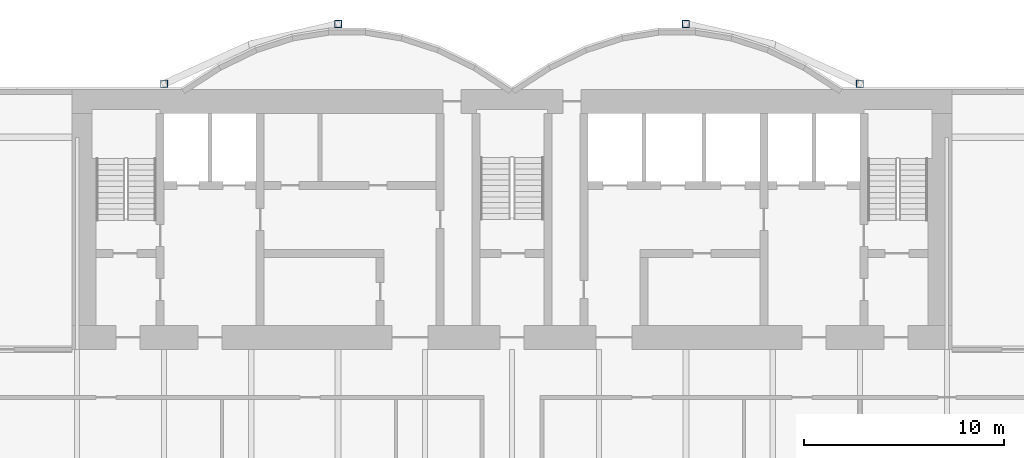
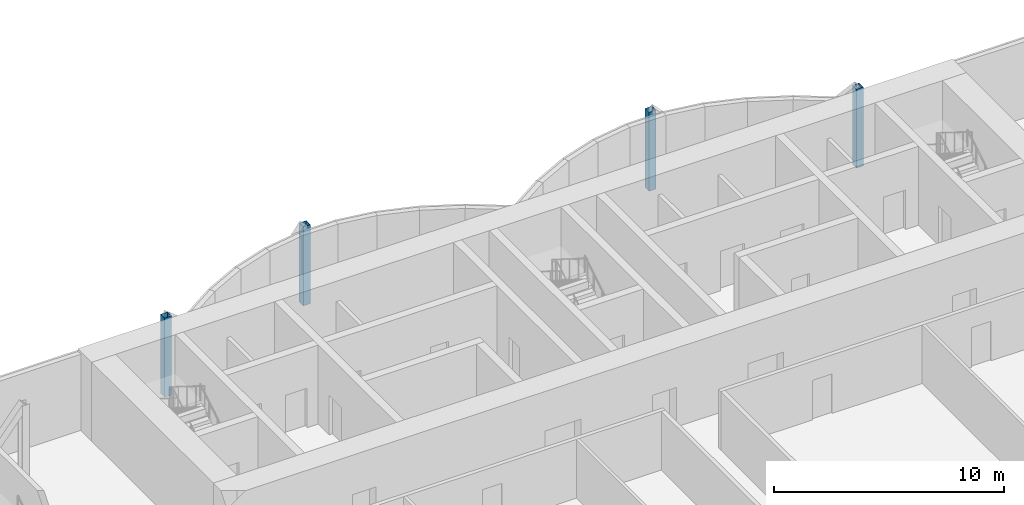
# One storey, part 3 of 19: 4 columns.
"""IFC4 building model written with IfcOpenShell, lengths in metres."""

from ifc_helpers import new_model, si_unit, direction, frame, origin, origin_2d, place, context, subcontext, project, spatial, hollow_rectangle, extrude, material, material_profile, profile_set, type_object, element, save


model = new_model("IFC4")

# Units and contexts
model_context = context("Model", 3, precision=1e-05, world=origin(), true_north=direction((0.0, 1.0)))
body_context = subcontext(model_context, "Body", "Model", "MODEL_VIEW")
ifc_project = project(units=[si_unit("LENGTHUNIT", "METRE"), si_unit("AREAUNIT", "SQUARE_METRE"), si_unit("VOLUMEUNIT", "CUBIC_METRE"), si_unit("PLANEANGLEUNIT", "RADIAN"), si_unit("MASSUNIT", "GRAM", prefix="KILO")], contexts=[model_context])

# Site, building, storey
site_placement = place(None, origin())
site = spatial("IfcSite", under=ifc_project, at=site_placement, CompositionType="ELEMENT")
building_placement = place(site_placement, origin())
building = spatial("IfcBuilding", under=site, at=building_placement, Name="Bicima Exchange Tower", CompositionType="ELEMENT")
storey_placement = place(building_placement, frame((0.0, 0.0, 258.199951171875)))
storey = spatial("IfcBuildingStorey", under=building, at=storey_placement, Name="L58", CompositionType="ELEMENT", Elevation=258.199951171875)

# Columns
ifc_material = material(Name="Steel ASTM A572 Gr 50", Category="steel")
ifc_material_profile = material_profile(ifc_material, hollow_rectangle(XDim=0.355712890625, YDim=0.355712890625, WallThickness=0.01171875, at=origin_2d()))
ifc_profile_set = profile_set([ifc_material_profile], Name="Steel ASTM A572 Gr 50")
column_type = type_object("IfcColumnType", Name="Rear pilaster HSS14x14x1/2", PredefinedType="COLUMN", material=ifc_profile_set)
for number, where, z_axis, x_axis, name in (
    (1, (-8.699951171875, 3.26904296875, 0.0), (0.0, 0.0, 1.0), (1.0, 0.0, 0.0), "Rear pilaster rexo-8.7r"),
    (2, (-17.39990234375, 0.278076171875, 0.0), (0.0, 0.0, 1.0), (1.0, 0.0, 0.0), "Rear pilaster rexo-17.4r"),
    (3, (8.699951171875, 3.26904296875, 0.0), (0.0, 0.0, 1.0), (1.0, 0.0, 0.0), "Rear pilaster rexo+8.7r"),
    (4, (17.39990234375, 0.278076171875, 0.0), (0.0, 0.0, 1.0), (1.0, 0.0, 0.0), "Rear pilaster rexo+17.4r"),
):
    element("IfcColumn", number, at=place(storey_placement, frame(where, z_axis=z_axis, x_axis=x_axis)), inside=storey, type_object=column_type, Name=name, PredefinedType="COLUMN", context=body_context, shape_type="SweptSolid", body=[
        extrude(hollow_rectangle(XDim=0.355712890625, YDim=0.355712890625, WallThickness=0.01171875, at=origin_2d()), origin(), (0.0, 0.0, 1.0), 4.199951171875),
    ])

save(model, "model.ifc")
